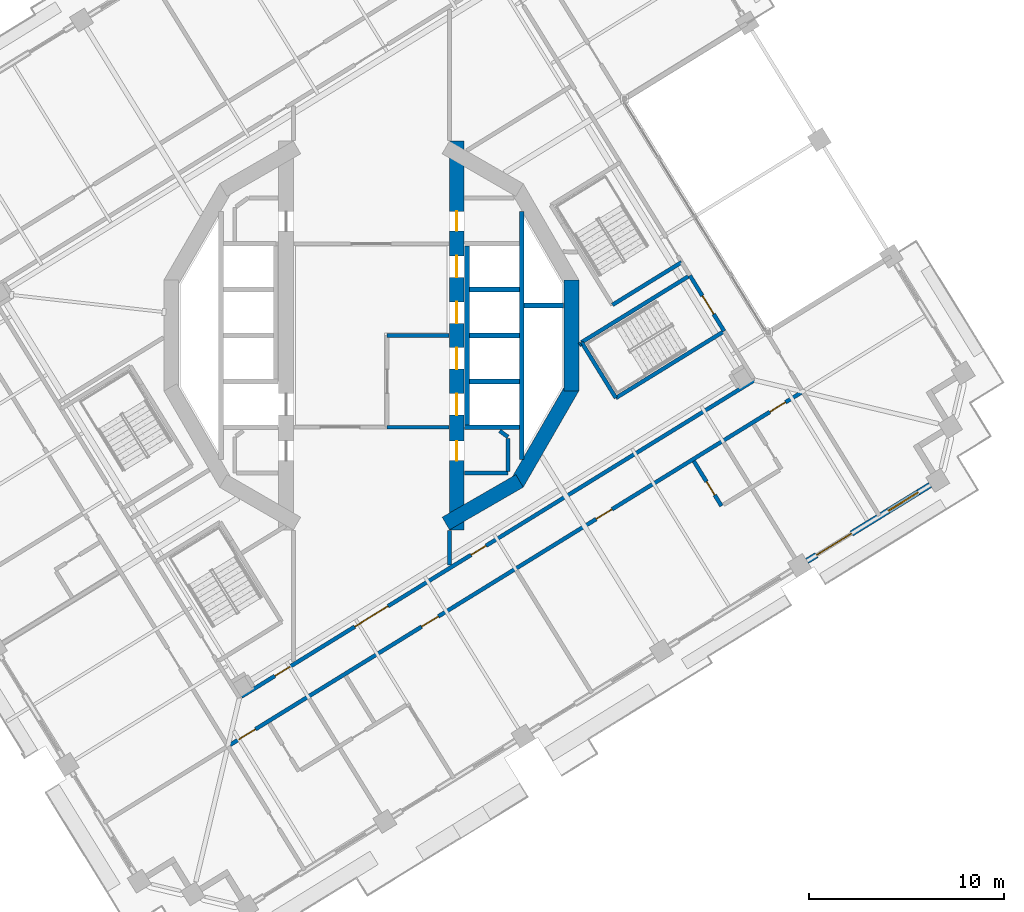
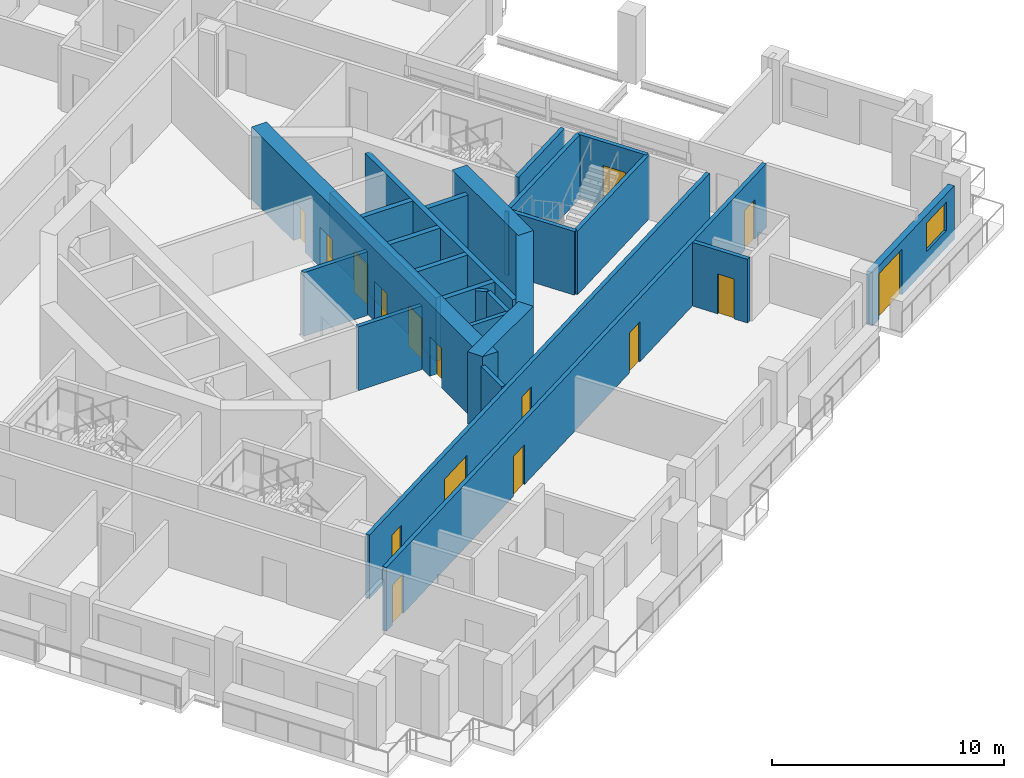
# One storey, part 9 of 21: 27 walls, 16 doors, 1 window, 17 openings.
"""IFC4 building model written with IfcOpenShell, lengths in metres."""

from ifc_helpers import new_model, si_unit, direction, frame, frame_2d, origin, place, context, subcontext, project, spatial, rectangle, extrude, material, layer, layer_set, type_object, element, fill, save


model = new_model("IFC4")

# Units and contexts
model_context = context("Model", 3, precision=1e-05, world=origin(), true_north=direction((0.0, 1.0)))
body_context = subcontext(model_context, "Body", "Model", "MODEL_VIEW")
ifc_project = project(units=[si_unit("LENGTHUNIT", "METRE"), si_unit("AREAUNIT", "SQUARE_METRE"), si_unit("VOLUMEUNIT", "CUBIC_METRE"), si_unit("PLANEANGLEUNIT", "RADIAN"), si_unit("MASSUNIT", "GRAM", prefix="KILO")], contexts=[model_context])

# Site, building, storey
site_placement = place(None, origin())
site = spatial("IfcSite", under=ifc_project, at=site_placement, CompositionType="ELEMENT")
building_placement = place(site_placement, origin())
building = spatial("IfcBuilding", under=site, at=building_placement, Name="Cantera Rosa Tower", CompositionType="ELEMENT")
storey_placement = place(building_placement, frame((0.0, 0.0, 185.60009765625)))
storey = spatial("IfcBuildingStorey", under=building, at=storey_placement, Name="L41", CompositionType="ELEMENT", Elevation=185.60009765625)

# Wall, openings, doors
ifc_material_1 = material(Name="Gypsum board partition")
ifc_layer_1 = layer(ifc_material_1, 0.199951171875)
ifc_layer_set_1 = layer_set([ifc_layer_1], Name="CORRIDOR WALL 200 H3350")
wall_type_1 = type_object("IfcWallType", Name="CORRIDOR WALL 200 H3350", PredefinedType="PARTITIONING", material=ifc_layer_set_1)
wall_1_placement = place(storey_placement, frame((-7.246337890625, -20.977294921875, 0.0), z_axis=(0.0, 0.0, 1.0), x_axis=(0.851117666999, 0.524974967901, 0.0)))
wall_1 = element("IfcWall", 1, at=wall_1_placement, inside=storey, type_object=wall_type_1, Name="CORRIDOR WALL L41-033", PredefinedType="PARTITIONING", context=body_context, shape_type="SweptSolid", body=[
    extrude(rectangle(XDim=34.47998046875, YDim=0.199951171875, at=frame_2d((17.239990234375, 0.0))), origin(), (0.0, 0.0, 1.0), 3.349853515625),
])
opening_1_placement = place(wall_1_placement, frame((11.5400390625, 0.0, 0.0)))
opening_1 = element("IfcOpeningElement", 2, at=opening_1_placement, cuts=wall_1, Name="Opening L41-036", PredefinedType="OPENING", context=body_context, shape_type="SweptSolid", body=[
    extrude(rectangle(XDim=1.0, YDim=2.10009765625, at=frame_2d((0.5, 1.050048828125))), frame((0.0, 0.10986328125, 0.0), z_axis=(0.0, -1.0, 0.0), x_axis=(1.0, 0.0, 0.0)), (0.0, 0.0, 1.0), 0.219970703125),
])
opening_2_placement = place(wall_1_placement, frame((22.044921875, 0.0, 0.0)))
opening_2 = element("IfcOpeningElement", 3, at=opening_2_placement, cuts=wall_1, Name="Opening L41-039", PredefinedType="OPENING", context=body_context, shape_type="SweptSolid", body=[
    extrude(rectangle(XDim=0.949951171875, YDim=2.10009765625, at=frame_2d((0.47509765625, 1.050048828125))), frame((0.0, 0.10986328125, 0.0), z_axis=(0.0, -1.0, 0.0), x_axis=(1.0, 0.0, 0.0)), (0.0, 0.0, 1.0), 0.219970703125),
])
opening_3_placement = place(wall_1_placement, frame((32.4951171875, 0.0, 0.0)))
opening_3 = element("IfcOpeningElement", 4, at=opening_3_placement, cuts=wall_1, Name="Opening L41-041", PredefinedType="OPENING", context=body_context, shape_type="SweptSolid", body=[
    extrude(rectangle(XDim=0.949951171875, YDim=2.10009765625, at=frame_2d((0.47509765625, 1.050048828125))), frame((0.0, 0.10986328125, 0.0), z_axis=(0.0, -1.0, 0.0), x_axis=(1.0, 0.0, 0.0)), (0.0, 0.0, 1.0), 0.219970703125),
])
opening_4_placement = place(wall_1_placement, frame((0.530029296875, 0.0, 0.0)))
opening_4 = element("IfcOpeningElement", 5, at=opening_4_placement, cuts=wall_1, Name="Opening L41-043", PredefinedType="OPENING", context=body_context, shape_type="SweptSolid", body=[
    extrude(rectangle(XDim=1.0, YDim=2.10009765625, at=frame_2d((0.5, 1.050048828125))), frame((0.0, 0.10986328125, 0.0), z_axis=(0.0, -1.0, 0.0), x_axis=(1.0, 0.0, 0.0)), (0.0, 0.0, 1.0), 0.219970703125),
])
ifc_material_2 = material(Name="Timber door leaf", Category="wood")
door_type_1 = type_object("IfcDoorType", Name="ENTRANCE DOOR 1000x2100", OperationType="NOTDEFINED", PredefinedType="DOOR", material=ifc_material_2)
door_1_placement = place(opening_1_placement, origin())
door_1 = element("IfcDoor", 6, at=door_1_placement, inside=storey, type_object=door_type_1, Name="DOOR L41-036", OperationType="NOTDEFINED", OverallHeight=2.10009765625, OverallWidth=1.0, PredefinedType="DOOR", context=body_context, shape_type="SweptSolid", body=[
    extrude(rectangle(XDim=1.0, YDim=2.10009765625, at=frame_2d((0.5, 1.050048828125))), frame((0.0, 0.02490234375, 0.0), z_axis=(0.0, -1.0, 0.0), x_axis=(1.0, 0.0, 0.0)), (0.0, 0.0, 1.0), 0.050048828125),
])
fill(opening_1, door_1)
door_2_placement = place(opening_4_placement, origin())
door_2 = element("IfcDoor", 7, at=door_2_placement, inside=storey, type_object=door_type_1, Name="DOOR L41-043", OperationType="NOTDEFINED", OverallHeight=2.10009765625, OverallWidth=1.0, PredefinedType="DOOR", context=body_context, shape_type="SweptSolid", body=[
    extrude(rectangle(XDim=1.0, YDim=2.10009765625, at=frame_2d((0.5, 1.050048828125))), frame((0.0, 0.02490234375, 0.0), z_axis=(0.0, -1.0, 0.0), x_axis=(1.0, 0.0, 0.0)), (0.0, 0.0, 1.0), 0.050048828125),
])
fill(opening_4, door_2)
ifc_material_3 = material(Name="Timber door leaf", Category="wood")
door_type_2 = type_object("IfcDoorType", Name="ROOM DOOR 950x2100", OperationType="NOTDEFINED", PredefinedType="DOOR", material=ifc_material_3)
door_3_placement = place(opening_2_placement, origin())
door_3 = element("IfcDoor", 8, at=door_3_placement, inside=storey, type_object=door_type_2, Name="DOOR L41-039", OperationType="NOTDEFINED", OverallHeight=2.10009765625, OverallWidth=0.949951171875, PredefinedType="DOOR", context=body_context, shape_type="SweptSolid", body=[
    extrude(rectangle(XDim=0.949951171875, YDim=2.10009765625, at=frame_2d((0.47509765625, 1.050048828125))), frame((0.0, 0.02490234375, 0.0), z_axis=(0.0, -1.0, 0.0), x_axis=(1.0, 0.0, 0.0)), (0.0, 0.0, 1.0), 0.050048828125),
])
fill(opening_2, door_3)
door_4_placement = place(opening_3_placement, origin())
door_4 = element("IfcDoor", 9, at=door_4_placement, inside=storey, type_object=door_type_2, Name="DOOR L41-041", OperationType="NOTDEFINED", OverallHeight=2.10009765625, OverallWidth=0.949951171875, PredefinedType="DOOR", context=body_context, shape_type="SweptSolid", body=[
    extrude(rectangle(XDim=0.949951171875, YDim=2.10009765625, at=frame_2d((0.47509765625, 1.050048828125))), frame((0.0, 0.02490234375, 0.0), z_axis=(0.0, -1.0, 0.0), x_axis=(1.0, 0.0, 0.0)), (0.0, 0.0, 1.0), 0.050048828125),
])
fill(opening_3, door_4)

wall_2_placement = place(storey_placement, frame((-6.6591796875, -18.500244140625, 0.0), z_axis=(0.0, 0.0, 1.0), x_axis=(0.851117940987, 0.524974523696, 0.0)))
wall_2 = element("IfcWall", 10, at=wall_2_placement, inside=storey, type_object=wall_type_1, Name="CORRIDOR WALL L41-038", PredefinedType="PARTITIONING", context=body_context, shape_type="SweptSolid", body=[
    extrude(rectangle(XDim=30.8798828125, YDim=0.199951171875, at=frame_2d((15.43994140625, 0.0))), origin(), (0.0, 0.0, 1.0), 3.349853515625),
])
opening_5_placement = place(wall_2_placement, frame((2.01513671875, 0.0, 0.0)))
opening_5 = element("IfcOpeningElement", 11, at=opening_5_placement, cuts=wall_2, Name="Opening L41-009", PredefinedType="OPENING", context=body_context, shape_type="SweptSolid", body=[
    extrude(rectangle(XDim=0.89990234375, YDim=2.10009765625, at=frame_2d((0.449951171875, 1.050048828125))), frame((0.0, 0.10986328125, 0.0), z_axis=(0.0, -1.0, 0.0), x_axis=(1.0, 0.0, 0.0)), (0.0, 0.0, 1.0), 0.219970703125),
])
opening_6_placement = place(wall_2_placement, frame((13.8193359375, 0.0, 0.0)))
opening_6 = element("IfcOpeningElement", 12, at=opening_6_placement, cuts=wall_2, Name="Opening L41-010", PredefinedType="OPENING", context=body_context, shape_type="SweptSolid", body=[
    extrude(rectangle(XDim=0.89990234375, YDim=2.10009765625, at=frame_2d((0.449951171875, 1.050048828125))), frame((0.0, 0.10986328125, 0.0), z_axis=(0.0, -1.0, 0.0), x_axis=(1.0, 0.0, 0.0)), (0.0, 0.0, 1.0), 0.219970703125),
])
opening_7_placement = place(wall_2_placement, frame((6.82421875, 0.0, 0.0)))
opening_7 = element("IfcOpeningElement", 13, at=opening_7_placement, cuts=wall_2, Name="Opening L41-013", PredefinedType="OPENING", context=body_context, shape_type="SweptSolid", body=[
    extrude(rectangle(XDim=2.0, YDim=2.10009765625, at=frame_2d((1.0, 1.050048828125))), frame((0.0, 0.10986328125, 0.0), z_axis=(0.0, -1.0, 0.0), x_axis=(1.0, 0.0, 0.0)), (0.0, 0.0, 1.0), 0.219970703125),
])
ifc_material_4 = material(Name="Steel S355J2 (EN 10025-2)", Category="steel")
door_type_3 = type_object("IfcDoorType", Name="LOBBY SCREEN DOOR 2000x2100", OperationType="NOTDEFINED", PredefinedType="DOOR", material=ifc_material_4)
door_5_placement = place(opening_7_placement, origin())
door_5 = element("IfcDoor", 14, at=door_5_placement, inside=storey, type_object=door_type_3, Name="DOOR L41-013", OperationType="NOTDEFINED", OverallHeight=2.10009765625, OverallWidth=2.0, PredefinedType="DOOR", context=body_context, shape_type="SweptSolid", body=[
    extrude(rectangle(XDim=2.0, YDim=2.10009765625, at=frame_2d((1.0, 1.050048828125))), frame((0.0, 0.02490234375, 0.0), z_axis=(0.0, -1.0, 0.0), x_axis=(1.0, 0.0, 0.0)), (0.0, 0.0, 1.0), 0.050048828125),
])
fill(opening_7, door_5)
ifc_material_5 = material(Name="Timber door leaf", Category="wood")
door_type_4 = type_object("IfcDoorType", Name="SERVICE DOOR 900x2100", OperationType="NOTDEFINED", PredefinedType="DOOR", material=ifc_material_5)
door_6_placement = place(opening_5_placement, origin())
door_6 = element("IfcDoor", 15, at=door_6_placement, inside=storey, type_object=door_type_4, Name="DOOR L41-009", OperationType="NOTDEFINED", OverallHeight=2.10009765625, OverallWidth=0.89990234375, PredefinedType="DOOR", context=body_context, shape_type="SweptSolid", body=[
    extrude(rectangle(XDim=0.89990234375, YDim=2.10009765625, at=frame_2d((0.449951171875, 1.050048828125))), frame((0.0, 0.02490234375, 0.0), z_axis=(0.0, -1.0, 0.0), x_axis=(1.0, 0.0, 0.0)), (0.0, 0.0, 1.0), 0.050048828125),
])
fill(opening_5, door_6)
door_7_placement = place(opening_6_placement, origin())
door_7 = element("IfcDoor", 16, at=door_7_placement, inside=storey, type_object=door_type_4, Name="DOOR L41-010", OperationType="NOTDEFINED", OverallHeight=2.10009765625, OverallWidth=0.89990234375, PredefinedType="DOOR", context=body_context, shape_type="SweptSolid", body=[
    extrude(rectangle(XDim=0.89990234375, YDim=2.10009765625, at=frame_2d((0.449951171875, 1.050048828125))), frame((0.0, 0.02490234375, 0.0), z_axis=(0.0, -1.0, 0.0), x_axis=(1.0, 0.0, 0.0)), (0.0, 0.0, 1.0), 0.050048828125),
])
fill(opening_6, door_7)

# Wall
wall_3_placement = place(storey_placement, frame((4.0, -11.765625, 0.0), z_axis=(0.0, 0.0, 1.0), x_axis=(0.0, 1.0, 0.0)))
element("IfcWall", 17, at=wall_3_placement, inside=storey, type_object=wall_type_1, Name="CORRIDOR WALL L41-065", PredefinedType="PARTITIONING", context=body_context, shape_type="SweptSolid", body=[
    extrude(rectangle(XDim=1.771484375, YDim=0.199951171875, at=frame_2d((0.8857421875, 0.0))), origin(), (0.0, 0.0, 1.0), 3.349853515625),
])

# Wall, openings, window, door
ifc_material_6 = material(Name="Hollow clay masonry with cantera stone cladding", Category="masonry")
ifc_layer_2 = layer(ifc_material_6, 0.300048828125)
ifc_layer_set_2 = layer_set([ifc_layer_2], Name="EW-LOGGIA 300 H2820")
wall_type_2 = type_object("IfcWallType", Name="EW-LOGGIA 300 H2820", PredefinedType="SOLIDWALL", material=ifc_layer_set_2)
wall_4_placement = place(storey_placement, frame((22.318115234375, -11.5537109375, 0.0), z_axis=(0.0, 0.0, 1.0), x_axis=(0.851111085575, 0.524985637909, 0.0)))
wall_4 = element("IfcWall", 18, at=wall_4_placement, inside=storey, type_object=wall_type_2, Name="EN-L41-W26", PredefinedType="SOLIDWALL", context=body_context, shape_type="SweptSolid", body=[
    extrude(rectangle(XDim=7.420166015625, YDim=0.300048828125, at=frame_2d((3.7099609375, 0.0))), origin(), (0.0, 0.0, 1.0), 2.81982421875),
])
opening_8_placement = place(wall_4_placement, frame((0.580078125, 0.0, 0.0)))
opening_8 = element("IfcOpeningElement", 19, at=opening_8_placement, cuts=wall_4, Name="Opening L41-TD35", PredefinedType="OPENING", context=body_context, shape_type="SweptSolid", body=[
    extrude(rectangle(XDim=2.10009765625, YDim=2.39990234375, at=frame_2d((1.050048828125, 1.199951171875))), frame((0.0, 0.159912109375, 0.0), z_axis=(0.0, -1.0, 0.0), x_axis=(1.0, 0.0, 0.0)), (0.0, 0.0, 1.0), 0.320068359375),
])
opening_9_placement = place(wall_4_placement, frame((4.889892578125, 0.0, 0.89990234375)))
opening_9 = element("IfcOpeningElement", 20, at=opening_9_placement, cuts=wall_4, Name="Opening L41-W36", PredefinedType="OPENING", context=body_context, shape_type="SweptSolid", body=[
    extrude(rectangle(XDim=1.800048828125, YDim=1.5, at=frame_2d((0.89990234375, 0.75))), frame((0.0, 0.159912109375, 0.0), z_axis=(0.0, -1.0, 0.0), x_axis=(1.0, 0.0, 0.0)), (0.0, 0.0, 1.0), 0.320068359375),
])
ifc_material_7 = material(Name="Aluminium frame with clear glass", Category="aluminium")
window_type = type_object("IfcWindowType", Name="Hotel room window 1800x1500", PartitioningType="DOUBLE_PANEL_VERTICAL", PredefinedType="WINDOW", material=ifc_material_7)
window_placement = place(opening_9_placement, origin())
window = element("IfcWindow", 21, at=window_placement, inside=storey, type_object=window_type, Name="WINDOW L41-W36", OverallHeight=1.5, OverallWidth=1.800048828125, PartitioningType="SINGLE_PANEL", PredefinedType="WINDOW", context=body_context, shape_type="SweptSolid", body=[
    extrude(rectangle(XDim=1.800048828125, YDim=1.5, at=frame_2d((0.89990234375, 0.75))), frame((0.0, 0.030029296875, 0.0), z_axis=(0.0, -1.0, 0.0), x_axis=(1.0, 0.0, 0.0)), (0.0, 0.0, 1.0), 0.06005859375),
])
fill(opening_9, window)
ifc_material_8 = material(Name="Aluminium frame with clear glass", Category="aluminium")
door_type_5 = type_object("IfcDoorType", Name="TD-H 2100x2400", OperationType="NOTDEFINED", PredefinedType="DOOR", material=ifc_material_8)
door_8_placement = place(opening_8_placement, origin())
door_8 = element("IfcDoor", 22, at=door_8_placement, inside=storey, type_object=door_type_5, Name="LOGGIA DOOR L41-TD35", OperationType="SLIDING_TO_LEFT", OverallHeight=2.39990234375, OverallWidth=2.10009765625, PredefinedType="DOOR", context=body_context, shape_type="SweptSolid", body=[
    extrude(rectangle(XDim=2.10009765625, YDim=2.39990234375, at=frame_2d((1.050048828125, 1.199951171875))), frame((0.0, 0.02490234375, 0.0), z_axis=(0.0, -1.0, 0.0), x_axis=(1.0, 0.0, 0.0)), (0.0, 0.0, 1.0), 0.050048828125),
])
fill(opening_8, door_8)

# Walls
ifc_material_9 = material(Name="Gypsum board partition")
ifc_layer_3 = layer(ifc_material_9, 0.199951171875)
ifc_layer_set_3 = layer_set([ifc_layer_3], Name="PARTITION 200 H3350")
wall_type_3 = type_object("IfcWallType", Name="PARTITION 200 H3350", PredefinedType="PARTITIONING", material=ifc_layer_set_3)
wall_5_placement = place(storey_placement, frame((6.572509765625, -4.888427734375, 0.0), z_axis=(0.0, 0.0, 1.0), x_axis=(0.808176867567, -0.588939853236, 0.0)))
element("IfcWall", 23, at=wall_5_placement, inside=storey, type_object=wall_type_3, Name="PARTITION L41-073", PredefinedType="PARTITIONING", context=body_context, shape_type="SweptSolid", body=[
    extrude(rectangle(XDim=0.529052734375, YDim=0.199951171875, at=frame_2d((0.2646484375, 0.0))), origin(), (0.0, 0.0, 1.0), 3.349853515625),
])
wall_6_placement = place(storey_placement, frame((7.0, -7.050048828125, 0.0), z_axis=(0.0, 0.0, 1.0), x_axis=(-1.0, 0.0, 0.0)))
element("IfcWall", 24, at=wall_6_placement, inside=storey, type_object=wall_type_3, Name="PARTITION L41-076", PredefinedType="PARTITIONING", context=body_context, shape_type="SweptSolid", body=[
    extrude(rectangle(XDim=2.219970703125, YDim=0.199951171875, at=frame_2d((1.10986328125, 0.0))), origin(), (0.0, 0.0, 1.0), 3.349853515625),
])
wall_7_placement = place(storey_placement, frame((7.0, -5.280029296875, 0.0), z_axis=(0.0, 0.0, 1.0), x_axis=(0.0, -1.0, 0.0)))
element("IfcWall", 25, at=wall_7_placement, inside=storey, type_object=wall_type_3, Name="PARTITION L41-077", PredefinedType="PARTITIONING", context=body_context, shape_type="SweptSolid", body=[
    extrude(rectangle(XDim=1.68994140625, YDim=0.199951171875, at=frame_2d((0.844970703125, 0.0))), origin(), (0.0, 0.0, 1.0), 3.349853515625),
])
wall_8_placement = place(storey_placement, frame((10.6552734375, -0.477294921875, 0.0), z_axis=(0.0, 0.0, 1.0), x_axis=(0.850733698721, 0.525596969037, 0.0)))
element("IfcWall", 26, at=wall_8_placement, inside=storey, type_object=wall_type_3, Name="PARTITION L41-093", PredefinedType="PARTITIONING", context=body_context, shape_type="SweptSolid", body=[
    extrude(rectangle(XDim=0.099853515625, YDim=0.199951171875, at=frame_2d((0.0498046875, 0.0))), origin(), (0.0, 0.0, 1.0), 3.349853515625),
])

# Wall, opening, door
wall_9_placement = place(storey_placement, frame((17.935791015625, -8.734619140625, 0.0), z_axis=(0.0, 0.0, 1.0), x_axis=(-0.524974952644, 0.85111767641, 0.0)))
wall_9 = element("IfcWall", 27, at=wall_9_placement, inside=storey, type_object=wall_type_3, Name="PARTITION L41-102", PredefinedType="PARTITIONING", context=body_context, shape_type="SweptSolid", body=[
    extrude(rectangle(XDim=2.7001953125, YDim=0.199951171875, at=frame_2d((1.35009765625, 0.0))), origin(), (0.0, 0.0, 1.0), 3.349853515625),
])
opening_10_placement = place(wall_9_placement, frame((0.6640625, 0.0, 0.0)))
opening_10 = element("IfcOpeningElement", 28, at=opening_10_placement, cuts=wall_9, Name="Opening L41-040", PredefinedType="OPENING", context=body_context, shape_type="SweptSolid", body=[
    extrude(rectangle(XDim=0.800048828125, YDim=2.10009765625, at=frame_2d((0.39990234375, 1.050048828125))), frame((0.0, 0.10986328125, 0.0), z_axis=(0.0, -1.0, 0.0), x_axis=(1.0, 0.0, 0.0)), (0.0, 0.0, 1.0), 0.219970703125),
])
ifc_material_10 = material(Name="Timber door leaf", Category="wood")
door_type_6 = type_object("IfcDoorType", Name="BATHROOM DOOR 800x2100", OperationType="NOTDEFINED", PredefinedType="DOOR", material=ifc_material_10)
door_9_placement = place(opening_10_placement, origin())
door_9 = element("IfcDoor", 29, at=door_9_placement, inside=storey, type_object=door_type_6, Name="DOOR L41-040", OperationType="NOTDEFINED", OverallHeight=2.10009765625, OverallWidth=0.800048828125, PredefinedType="DOOR", context=body_context, shape_type="SweptSolid", body=[
    extrude(rectangle(XDim=0.800048828125, YDim=2.10009765625, at=frame_2d((0.39990234375, 1.050048828125))), frame((0.0, 0.02490234375, 0.0), z_axis=(0.0, -1.0, 0.0), x_axis=(1.0, 0.0, 0.0)), (0.0, 0.0, 1.0), 0.050048828125),
])
fill(opening_10, door_9)

# Walls
ifc_material_11 = material(Name="Concrete C60/75", Category="concrete")
ifc_layer_4 = layer(ifc_material_11, 0.75)
ifc_layer_set_4 = layer_set([ifc_layer_4], Name="RC CORE WALL 750 C60/75")
wall_type_4 = type_object("IfcWallType", Name="RC CORE WALL 750 C60/75", PredefinedType="SHEAR", material=ifc_layer_set_4)
wall_10_placement = place(storey_placement, frame((10.250244140625, 2.846923828125, 0.0), z_axis=(0.0, 0.0, 1.0), x_axis=(0.0, -1.0, 0.0)))
element("IfcWall", 30, at=wall_10_placement, inside=storey, type_object=wall_type_4, Name="CW-E3 L41", PredefinedType="SHEAR", context=body_context, shape_type="SweptSolid", body=[
    extrude(rectangle(XDim=5.69384765625, YDim=0.75, at=frame_2d((2.846923828125, 0.0))), origin(), (0.0, 0.0, 1.0), 3.7998046875),
])
wall_11_placement = place(storey_placement, frame((10.300537109375, -2.659423828125, 0.0), z_axis=(0.0, 0.0, 1.0), x_axis=(-0.500021842983, -0.866012792365, 0.0)))
element("IfcWall", 31, at=wall_11_placement, inside=storey, type_object=wall_type_4, Name="CW-E4 L41", PredefinedType="SHEAR", context=body_context, shape_type="SweptSolid", body=[
    extrude(rectangle(XDim=5.694091796875, YDim=0.75, at=frame_2d((2.84716796875, 0.0))), origin(), (0.0, 0.0, 1.0), 3.7998046875),
])
wall_12_placement = place(storey_placement, frame((7.590576171875, -7.453369140625, 0.0), z_axis=(0.0, 0.0, 1.0), x_axis=(-0.866013176292, -0.50002117804, 0.0)))
element("IfcWall", 32, at=wall_12_placement, inside=storey, type_object=wall_type_4, Name="CW-E5 L41", PredefinedType="SHEAR", context=body_context, shape_type="SweptSolid", body=[
    extrude(rectangle(XDim=4.362548828125, YDim=0.75, at=frame_2d((2.18115234375, 0.0))), origin(), (0.0, 0.0, 1.0), 3.7998046875),
])

# Wall, openings, doors
wall_13_placement = place(storey_placement, frame((4.375, -9.95947265625, 0.0), z_axis=(0.0, 0.0, 1.0), x_axis=(0.0, 1.0, 0.0)))
wall_13 = element("IfcWall", 33, at=wall_13_placement, inside=storey, type_object=wall_type_4, Name="CW-E6 L41", PredefinedType="SHEAR", context=body_context, shape_type="SweptSolid", body=[
    extrude(rectangle(XDim=19.9189453125, YDim=0.75, at=frame_2d((9.95947265625, 0.0))), origin(), (0.0, 0.0, 1.0), 3.7998046875),
])
opening_11_placement = place(wall_13_placement, frame((5.884521484375, 0.0, 0.0)))
opening_11 = element("IfcOpeningElement", 34, at=opening_11_placement, cuts=wall_13, Name="Opening LD-FF1-L41", PredefinedType="OPENING", context=body_context, shape_type="SweptSolid", body=[
    extrude(rectangle(XDim=1.10009765625, YDim=2.10009765625, at=frame_2d((0.550048828125, 1.050048828125))), frame((0.0, 0.385009765625, 0.0), z_axis=(0.0, -1.0, 0.0), x_axis=(1.0, 0.0, 0.0)), (0.0, 0.0, 1.0), 0.77001953125),
])
opening_12_placement = place(wall_13_placement, frame((8.234619140625, 0.0, 0.0)))
opening_12 = element("IfcOpeningElement", 35, at=opening_12_placement, cuts=wall_13, Name="Opening LD-FF2-L41", PredefinedType="OPENING", context=body_context, shape_type="SweptSolid", body=[
    extrude(rectangle(XDim=1.10009765625, YDim=2.10009765625, at=frame_2d((0.550048828125, 1.050048828125))), frame((0.0, 0.385009765625, 0.0), z_axis=(0.0, -1.0, 0.0), x_axis=(1.0, 0.0, 0.0)), (0.0, 0.0, 1.0), 0.77001953125),
])
opening_13_placement = place(wall_13_placement, frame((10.58447265625, 0.0, 0.0)))
opening_13 = element("IfcOpeningElement", 36, at=opening_13_placement, cuts=wall_13, Name="Opening LD-P1-L41", PredefinedType="OPENING", context=body_context, shape_type="SweptSolid", body=[
    extrude(rectangle(XDim=1.10009765625, YDim=2.10009765625, at=frame_2d((0.550048828125, 1.050048828125))), frame((0.0, 0.385009765625, 0.0), z_axis=(0.0, -1.0, 0.0), x_axis=(1.0, 0.0, 0.0)), (0.0, 0.0, 1.0), 0.77001953125),
])
opening_14_placement = place(wall_13_placement, frame((12.9345703125, 0.0, 0.0)))
opening_14 = element("IfcOpeningElement", 37, at=opening_14_placement, cuts=wall_13, Name="Opening LD-P2-L41", PredefinedType="OPENING", context=body_context, shape_type="SweptSolid", body=[
    extrude(rectangle(XDim=1.10009765625, YDim=2.10009765625, at=frame_2d((0.550048828125, 1.050048828125))), frame((0.0, 0.385009765625, 0.0), z_axis=(0.0, -1.0, 0.0), x_axis=(1.0, 0.0, 0.0)), (0.0, 0.0, 1.0), 0.77001953125),
])
opening_15_placement = place(wall_13_placement, frame((3.55078125, 0.0, 0.0)))
opening_15 = element("IfcOpeningElement", 38, at=opening_15_placement, cuts=wall_13, Name="Opening SD-L41-18", PredefinedType="OPENING", context=body_context, shape_type="SweptSolid", body=[
    extrude(rectangle(XDim=1.0, YDim=2.10009765625, at=frame_2d((0.5, 1.050048828125))), frame((0.0, 0.385009765625, 0.0), z_axis=(0.0, -1.0, 0.0), x_axis=(1.0, 0.0, 0.0)), (0.0, 0.0, 1.0), 0.77001953125),
])
opening_16_placement = place(wall_13_placement, frame((15.318115234375, 0.0, 0.0)))
opening_16 = element("IfcOpeningElement", 39, at=opening_16_placement, cuts=wall_13, Name="Opening SD-L41-19", PredefinedType="OPENING", context=body_context, shape_type="SweptSolid", body=[
    extrude(rectangle(XDim=1.0, YDim=2.10009765625, at=frame_2d((0.5, 1.050048828125))), frame((0.0, 0.385009765625, 0.0), z_axis=(0.0, -1.0, 0.0), x_axis=(1.0, 0.0, 0.0)), (0.0, 0.0, 1.0), 0.77001953125),
])
ifc_material_12 = material(Name="Steel S355J2 (EN 10025-2)", Category="steel")
door_type_7 = type_object("IfcDoorType", Name="LANDING DOOR 1100x2100", OperationType="NOTDEFINED", PredefinedType="DOOR", material=ifc_material_12)
door_10_placement = place(opening_11_placement, origin())
door_10 = element("IfcDoor", 40, at=door_10_placement, inside=storey, type_object=door_type_7, Name="LANDING DOOR FF1 L41", OperationType="SLIDING_TO_LEFT", OverallHeight=2.10009765625, OverallWidth=1.10009765625, PredefinedType="DOOR", context=body_context, shape_type="SweptSolid", body=[
    extrude(rectangle(XDim=1.10009765625, YDim=2.10009765625, at=frame_2d((0.550048828125, 1.050048828125))), frame((0.0, 0.02490234375, 0.0), z_axis=(0.0, -1.0, 0.0), x_axis=(1.0, 0.0, 0.0)), (0.0, 0.0, 1.0), 0.050048828125),
])
fill(opening_11, door_10)
door_11_placement = place(opening_12_placement, origin())
door_11 = element("IfcDoor", 41, at=door_11_placement, inside=storey, type_object=door_type_7, Name="LANDING DOOR FF2 L41", OperationType="SLIDING_TO_LEFT", OverallHeight=2.10009765625, OverallWidth=1.10009765625, PredefinedType="DOOR", context=body_context, shape_type="SweptSolid", body=[
    extrude(rectangle(XDim=1.10009765625, YDim=2.10009765625, at=frame_2d((0.550048828125, 1.050048828125))), frame((0.0, 0.02490234375, 0.0), z_axis=(0.0, -1.0, 0.0), x_axis=(1.0, 0.0, 0.0)), (0.0, 0.0, 1.0), 0.050048828125),
])
fill(opening_12, door_11)
door_12_placement = place(opening_13_placement, origin())
door_12 = element("IfcDoor", 42, at=door_12_placement, inside=storey, type_object=door_type_7, Name="LANDING DOOR P1 L41", OperationType="SLIDING_TO_LEFT", OverallHeight=2.10009765625, OverallWidth=1.10009765625, PredefinedType="DOOR", context=body_context, shape_type="SweptSolid", body=[
    extrude(rectangle(XDim=1.10009765625, YDim=2.10009765625, at=frame_2d((0.550048828125, 1.050048828125))), frame((0.0, 0.02490234375, 0.0), z_axis=(0.0, -1.0, 0.0), x_axis=(1.0, 0.0, 0.0)), (0.0, 0.0, 1.0), 0.050048828125),
])
fill(opening_13, door_12)
door_13_placement = place(opening_14_placement, origin())
door_13 = element("IfcDoor", 43, at=door_13_placement, inside=storey, type_object=door_type_7, Name="LANDING DOOR P2 L41", OperationType="SLIDING_TO_LEFT", OverallHeight=2.10009765625, OverallWidth=1.10009765625, PredefinedType="DOOR", context=body_context, shape_type="SweptSolid", body=[
    extrude(rectangle(XDim=1.10009765625, YDim=2.10009765625, at=frame_2d((0.550048828125, 1.050048828125))), frame((0.0, 0.02490234375, 0.0), z_axis=(0.0, -1.0, 0.0), x_axis=(1.0, 0.0, 0.0)), (0.0, 0.0, 1.0), 0.050048828125),
])
fill(opening_14, door_13)
ifc_material_13 = material(Name="Timber door leaf", Category="wood")
door_type_8 = type_object("IfcDoorType", Name="SERVICE DOOR 1000x2100", OperationType="NOTDEFINED", PredefinedType="DOOR", material=ifc_material_13)
door_14_placement = place(opening_15_placement, origin())
door_14 = element("IfcDoor", 44, at=door_14_placement, inside=storey, type_object=door_type_8, Name="DOOR L41-SD18", OperationType="NOTDEFINED", OverallHeight=2.10009765625, OverallWidth=1.0, PredefinedType="DOOR", context=body_context, shape_type="SweptSolid", body=[
    extrude(rectangle(XDim=1.0, YDim=2.10009765625, at=frame_2d((0.5, 1.050048828125))), frame((0.0, 0.02490234375, 0.0), z_axis=(0.0, -1.0, 0.0), x_axis=(1.0, 0.0, 0.0)), (0.0, 0.0, 1.0), 0.050048828125),
])
fill(opening_15, door_14)
door_15_placement = place(opening_16_placement, origin())
door_15 = element("IfcDoor", 45, at=door_15_placement, inside=storey, type_object=door_type_8, Name="DOOR L41-SD19", OperationType="NOTDEFINED", OverallHeight=2.10009765625, OverallWidth=1.0, PredefinedType="DOOR", context=body_context, shape_type="SweptSolid", body=[
    extrude(rectangle(XDim=1.0, YDim=2.10009765625, at=frame_2d((0.5, 1.050048828125))), frame((0.0, 0.02490234375, 0.0), z_axis=(0.0, -1.0, 0.0), x_axis=(1.0, 0.0, 0.0)), (0.0, 0.0, 1.0), 0.050048828125),
])
fill(opening_16, door_15)

# Walls
ifc_material_14 = material(Name="Masonry blockwork", Category="masonry")
ifc_layer_5 = layer(ifc_material_14, 0.25)
ifc_layer_set_5 = layer_set([ifc_layer_5], Name="SHAFT WALL 250 H3350")
wall_type_5 = type_object("IfcWallType", Name="SHAFT WALL 250 H3350", PredefinedType="SOLIDWALL", material=ifc_layer_set_5)
wall_14_placement = place(storey_placement, frame((5.014892578125, 0.0, 0.0), z_axis=(0.0, 0.0, 1.0), x_axis=(1.0, 0.0, 0.0)))
element("IfcWall", 46, at=wall_14_placement, inside=storey, type_object=wall_type_5, Name="SHAFT WALL L41-067", PredefinedType="SOLIDWALL", context=body_context, shape_type="SweptSolid", body=[
    extrude(rectangle(XDim=2.56005859375, YDim=0.25, at=frame_2d((1.280029296875, 0.0))), origin(), (0.0, 0.0, 1.0), 3.349853515625),
])
wall_15_placement = place(storey_placement, frame((4.89990234375, 4.574951171875, 0.0), z_axis=(0.0, 0.0, 1.0), x_axis=(0.0, -1.0, 0.0)))
element("IfcWall", 47, at=wall_15_placement, inside=storey, type_object=wall_type_5, Name="SHAFT WALL L41-071", PredefinedType="SOLIDWALL", context=body_context, shape_type="SweptSolid", body=[
    extrude(rectangle(XDim=9.14990234375, YDim=0.25, at=frame_2d((4.574951171875, 0.0))), origin(), (0.0, 0.0, 1.0), 3.349853515625),
])
wall_16_placement = place(storey_placement, frame((7.699951171875, -6.353515625, 0.0), z_axis=(0.0, 0.0, 1.0), x_axis=(0.0, 1.0, 0.0)))
element("IfcWall", 48, at=wall_16_placement, inside=storey, type_object=wall_type_5, Name="SHAFT WALL L41-083", PredefinedType="SOLIDWALL", context=body_context, shape_type="SweptSolid", body=[
    extrude(rectangle(XDim=12.70703125, YDim=0.25, at=frame_2d((6.353515625, 0.0))), origin(), (0.0, 0.0, 1.0), 3.349853515625),
])
wall_17_placement = place(storey_placement, frame((7.574951171875, -4.699951171875, 0.0), z_axis=(0.0, 0.0, 1.0), x_axis=(-1.0, 0.0, 0.0)))
element("IfcWall", 49, at=wall_17_placement, inside=storey, type_object=wall_type_5, Name="SHAFT WALL L41-084", PredefinedType="SOLIDWALL", context=body_context, shape_type="SweptSolid", body=[
    extrude(rectangle(XDim=2.794921875, YDim=0.25, at=frame_2d((1.3974609375, 0.0))), origin(), (0.0, 0.0, 1.0), 3.349853515625),
])
wall_18_placement = place(storey_placement, frame((7.574951171875, -2.35009765625, 0.0), z_axis=(0.0, 0.0, 1.0), x_axis=(-1.0, 0.0, 0.0)))
element("IfcWall", 50, at=wall_18_placement, inside=storey, type_object=wall_type_5, Name="SHAFT WALL L41-085", PredefinedType="SOLIDWALL", context=body_context, shape_type="SweptSolid", body=[
    extrude(rectangle(XDim=2.56005859375, YDim=0.25, at=frame_2d((1.280029296875, 0.0))), origin(), (0.0, 0.0, 1.0), 3.349853515625),
])
wall_19_placement = place(storey_placement, frame((7.824951171875, 1.539306640625, 0.0), z_axis=(0.0, 0.0, 1.0), x_axis=(1.0, 0.0, 0.0)))
element("IfcWall", 51, at=wall_19_placement, inside=storey, type_object=wall_type_5, Name="SHAFT WALL L41-086", PredefinedType="SOLIDWALL", context=body_context, shape_type="SweptSolid", body=[
    extrude(rectangle(XDim=2.020263671875, YDim=0.25, at=frame_2d((1.01025390625, 0.0))), origin(), (0.0, 0.0, 1.0), 3.349853515625),
])
wall_20_placement = place(storey_placement, frame((7.574951171875, 2.35009765625, 0.0), z_axis=(0.0, 0.0, 1.0), x_axis=(-1.0, 0.0, 0.0)))
element("IfcWall", 52, at=wall_20_placement, inside=storey, type_object=wall_type_5, Name="SHAFT WALL L41-087", PredefinedType="SOLIDWALL", context=body_context, shape_type="SweptSolid", body=[
    extrude(rectangle(XDim=2.56005859375, YDim=0.25, at=frame_2d((1.280029296875, 0.0))), origin(), (0.0, 0.0, 1.0), 3.349853515625),
])
ifc_material_15 = material(Name="Concrete C50/60", Category="concrete")
ifc_layer_6 = layer(ifc_material_15, 0.199951171875)
ifc_layer_set_6 = layer_set([ifc_layer_6], Name="STAIR WALL 200 H3350")
wall_type_6 = type_object("IfcWallType", Name="STAIR WALL 200 H3350", PredefinedType="SOLIDWALL", material=ifc_layer_set_6)
for number, where, z_axis, x_axis, name in (
    (53, (0.800048828125, 0.0, 0.0), (0.0, 0.0, 1.0), (1.0, 0.0, 0.0), "STAIR WALL L41-059"),
    (54, (3.969970703125, -4.699951171875, 0.0), (0.0, 0.0, 1.0), (-1.0, 0.0, 0.0), "STAIR WALL L41-064"),
):
    element("IfcWall", number, at=place(storey_placement, frame(where, z_axis=z_axis, x_axis=x_axis)), inside=storey, type_object=wall_type_6, Name=name, PredefinedType="SOLIDWALL", context=body_context, shape_type="SweptSolid", body=[
        extrude(rectangle(XDim=3.169921875, YDim=0.199951171875, at=frame_2d((1.5849609375, 0.0))), origin(), (0.0, 0.0, 1.0), 3.349853515625),
    ])
wall_21_placement = place(storey_placement, frame((10.767333984375, -0.349365234375, 0.0), z_axis=(0.0, 0.0, 1.0), x_axis=(0.851120392665, 0.524970548879, 0.0)))
element("IfcWall", 55, at=wall_21_placement, inside=storey, type_object=wall_type_6, Name="STAIR WALL L41-094", PredefinedType="SOLIDWALL", context=body_context, shape_type="SweptSolid", body=[
    extrude(rectangle(XDim=6.51904296875, YDim=0.199951171875, at=frame_2d((3.259521484375, 0.0))), origin(), (0.0, 0.0, 1.0), 3.349853515625),
])
wall_22_placement = place(storey_placement, frame((12.52587890625, -3.20068359375, 0.0), z_axis=(0.0, 0.0, 1.0), x_axis=(-0.524938861495, 0.85113993661, 0.0)))
element("IfcWall", 56, at=wall_22_placement, inside=storey, type_object=wall_type_6, Name="STAIR WALL L41-095", PredefinedType="SOLIDWALL", context=body_context, shape_type="SweptSolid", body=[
    extrude(rectangle(XDim=3.35009765625, YDim=0.199951171875, at=frame_2d((1.675048828125, 0.0))), origin(), (0.0, 0.0, 1.0), 3.349853515625),
])
wall_23_placement = place(storey_placement, frame((12.52587890625, -3.20068359375, 0.0), z_axis=(0.0, 0.0, 1.0), x_axis=(0.851120392665, 0.524970548879, 0.0)))
element("IfcWall", 57, at=wall_23_placement, inside=storey, type_object=wall_type_6, Name="STAIR WALL L41-096", PredefinedType="SOLIDWALL", context=body_context, shape_type="SweptSolid", body=[
    extrude(rectangle(XDim=6.51904296875, YDim=0.199951171875, at=frame_2d((3.259521484375, 0.0))), origin(), (0.0, 0.0, 1.0), 3.349853515625),
])
wall_24_placement = place(storey_placement, frame((15.8955078125, 3.754638671875, 0.0), z_axis=(0.0, 0.0, 1.0), x_axis=(-0.851120688733, -0.524970068871, 0.0)))
element("IfcWall", 58, at=wall_24_placement, inside=storey, type_object=wall_type_6, Name="STAIR WALL L41-099", PredefinedType="SOLIDWALL", context=body_context, shape_type="SweptSolid", body=[
    extrude(rectangle(XDim=4.16650390625, YDim=0.199951171875, at=frame_2d((2.083251953125, 0.0))), origin(), (0.0, 0.0, 1.0), 3.349853515625),
])

# Wall, opening, door
wall_25_placement = place(storey_placement, frame((18.074462890625, 0.2216796875, 0.0), z_axis=(0.0, 0.0, 1.0), x_axis=(-0.524938861495, 0.85113993661, 0.0)))
wall_25 = element("IfcWall", 59, at=wall_25_placement, inside=storey, type_object=wall_type_6, Name="STAIR WALL L41-104", PredefinedType="SOLIDWALL", context=body_context, shape_type="SweptSolid", body=[
    extrude(rectangle(XDim=3.35009765625, YDim=0.199951171875, at=frame_2d((1.675048828125, 0.0))), origin(), (0.0, 0.0, 1.0), 3.349853515625),
])
opening_17_placement = place(wall_25_placement, frame((1.02978515625, 0.0, 0.0)))
opening_17 = element("IfcOpeningElement", 60, at=opening_17_placement, cuts=wall_25, Name="Opening L41-004", PredefinedType="OPENING", context=body_context, shape_type="SweptSolid", body=[
    extrude(rectangle(XDim=1.10009765625, YDim=2.10009765625, at=frame_2d((0.550048828125, 1.050048828125))), frame((0.0, 0.10986328125, 0.0), z_axis=(0.0, -1.0, 0.0), x_axis=(1.0, 0.0, 0.0)), (0.0, 0.0, 1.0), 0.219970703125),
])
ifc_material_16 = material(Name="Steel S355J2 (EN 10025-2)", Category="steel")
door_type_9 = type_object("IfcDoorType", Name="STAIR DOOR 1100x2100", OperationType="NOTDEFINED", PredefinedType="DOOR", material=ifc_material_16)
door_16_placement = place(opening_17_placement, origin())
door_16 = element("IfcDoor", 61, at=door_16_placement, inside=storey, type_object=door_type_9, Name="DOOR L41-004", OperationType="NOTDEFINED", OverallHeight=2.10009765625, OverallWidth=1.10009765625, PredefinedType="DOOR", context=body_context, shape_type="SweptSolid", body=[
    extrude(rectangle(XDim=1.10009765625, YDim=2.10009765625, at=frame_2d((0.550048828125, 1.050048828125))), frame((0.0, 0.02490234375, 0.0), z_axis=(0.0, -1.0, 0.0), x_axis=(1.0, 0.0, 0.0)), (0.0, 0.0, 1.0), 0.050048828125),
])
fill(opening_17, door_16)

save(model, "model.ifc")
